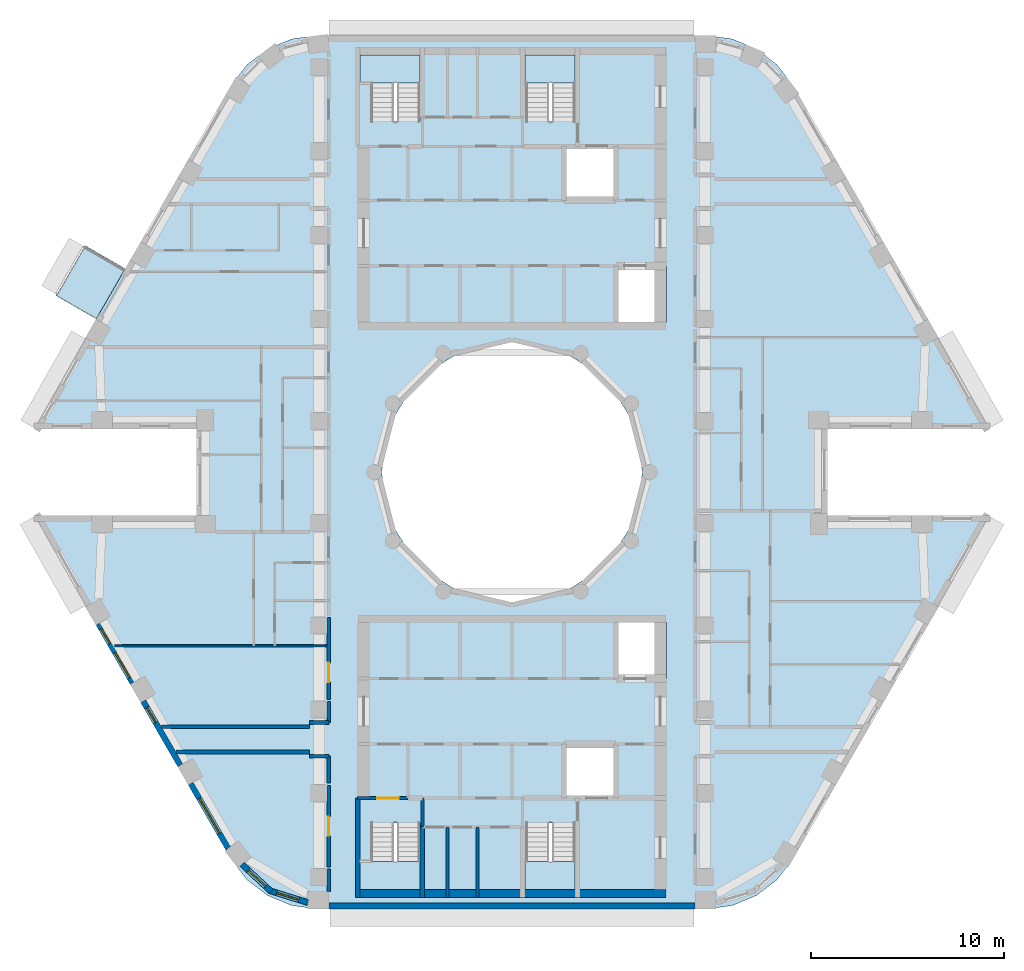
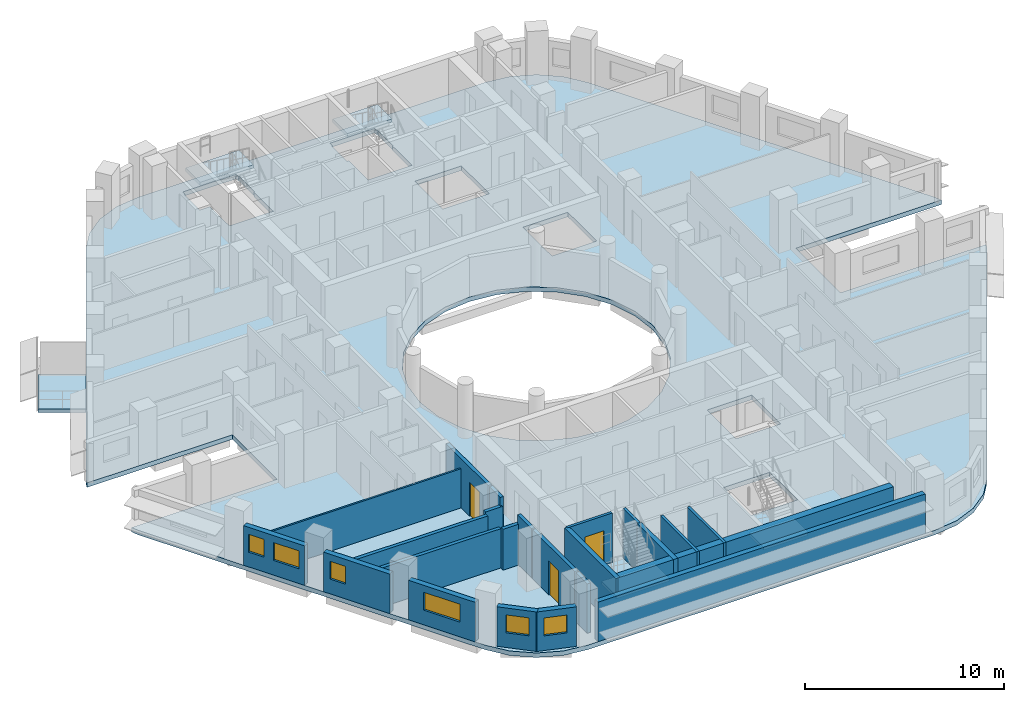
# One storey, part 2 of 13: 23 walls, 6 slabs, 6 windows, 3 doors, 9 openings, 4 elements without a shape of their own.
"""IFC4 building model written with IfcOpenShell, lengths in metres."""

from ifc_helpers import new_model, si_unit, direction, frame, frame_2d, origin, place, context, subcontext, project, spatial, polyline, rectangle, outline, extrude, material, layer, layer_set, type_object, element, fill, aggregate, save


model = new_model("IFC4")

# Units and contexts
model_context = context("Model", 3, precision=1e-05, world=origin(), true_north=direction((0.0, 1.0)))
body_context = subcontext(model_context, "Body", "Model", "MODEL_VIEW")
ifc_project = project(units=[si_unit("LENGTHUNIT", "METRE"), si_unit("AREAUNIT", "SQUARE_METRE"), si_unit("VOLUMEUNIT", "CUBIC_METRE"), si_unit("PLANEANGLEUNIT", "RADIAN"), si_unit("MASSUNIT", "GRAM", prefix="KILO")], contexts=[model_context])

# Site, building, storey
site_placement = place(None, origin())
site = spatial("IfcSite", under=ifc_project, at=site_placement, CompositionType="ELEMENT")
building_placement = place(site_placement, origin())
building = spatial("IfcBuilding", under=site, at=building_placement, Name="Nakaniwa Court", CompositionType="ELEMENT")
storey_placement = place(building_placement, frame((0.0, 0.0, 242.699951171875)))
storey = spatial("IfcBuildingStorey", under=building, at=storey_placement, Name="L63", CompositionType="ELEMENT", Elevation=242.699951171875)

# Slabs
ifc_material_1 = material(Name="Charcoal ceramic paver")
ifc_layer_1 = layer(ifc_material_1, 0.02, Name="Ceramic paver")
ifc_material_2 = material(Name="Cement sand screed")
ifc_layer_2 = layer(ifc_material_2, 0.03, Name="Falls screed")
ifc_material_3 = material(Name="Concrete C40/50", Category="concrete")
ifc_layer_3 = layer(ifc_material_3, 0.15, Name="Balcony slab")
ifc_layer_set_1 = layer_set([ifc_layer_1, ifc_layer_2, ifc_layer_3], Name="Concrete C40/50 balcony slab with ceramic paver finish")
slab_type_1 = type_object("IfcSlabType", Name="Balcony slab 200", PredefinedType="FLOOR", material=ifc_layer_set_1)
slab_1_placement = place(storey_placement, frame((0.0, 0.0, -0.25)))
element("IfcSlab", 1, at=slab_1_placement, inside=storey, type_object=slab_type_1, Name="L63 balcony 01", PredefinedType="FLOOR", context=body_context, shape_type="SweptSolid", body=[
    extrude(outline(polyline([(59.94287109375, 90.56005859375), (58.436279296875, 87.95068359375), (56.35791015625, 89.15087890625), (57.864501953125, 91.760009765625), (59.94287109375, 90.56005859375)])), origin(), (0.0, 0.0, 1.0), 0.199951171875),
])
ifc_material_4 = material(Name="Concrete C80/100", Category="concrete")
ifc_layer_4 = layer(ifc_material_4, 0.27490234375)
ifc_layer_set_2 = layer_set([ifc_layer_4], Name="Concrete C80/100")
slab_type_2 = type_object("IfcSlabType", Name="Concrete C80/100 post tensioned floor slab 275", PredefinedType="FLOOR", material=ifc_layer_set_2)
slab_2_placement = place(storey_placement, frame((0.0, 0.0, -0.27490234375)))
element("IfcSlab", 2, at=slab_2_placement, inside=storey, type_object=slab_type_2, Name="FLOOR SLAB", PredefinedType="FLOOR", context=body_context, shape_type="SweptSolid", body=[
    extrude(outline(polyline([(96.349609375, 82.25), (104.7978515625, 82.25), (104.65283203125, 82.60009765625), (94.578125, 100.050048828125), (93.751708984375, 101.126953125), (92.6748046875, 101.953369140625), (91.420654296875, 102.472900390625), (90.07470703125, 102.64990234375), (69.92529296875, 102.64990234375), (68.579345703125, 102.472900390625), (67.3251953125, 101.953369140625), (66.248291015625, 101.126953125), (65.421875, 100.050048828125), (55.34716796875, 82.60009765625), (55.2021484375, 82.25), (63.650390625, 82.25), (63.650390625, 77.75), (55.2021484375, 77.75), (55.34716796875, 77.39990234375), (65.421875, 59.949951171875), (66.248291015625, 58.873046875), (67.3251953125, 58.046630859375), (68.579345703125, 57.527099609375), (69.92529296875, 57.35009765625), (90.07470703125, 57.35009765625), (91.420654296875, 57.527099609375), (92.6748046875, 58.046630859375), (93.751708984375, 58.873046875), (94.578125, 59.949951171875), (104.65283203125, 77.39990234375), (104.7978515625, 77.75), (96.349609375, 77.75), (96.349609375, 82.25)]), holes=[polyline([(81.501953125, 86.580810546875), (80.0, 86.75), (78.498046875, 86.580810546875), (77.0712890625, 86.08154296875), (75.79150390625, 85.27734375), (74.72265625, 84.20849609375), (73.91845703125, 82.9287109375), (73.419189453125, 81.501953125), (73.25, 80.0), (73.419189453125, 78.498046875), (73.91845703125, 77.0712890625), (74.72265625, 75.79150390625), (75.79150390625, 74.72265625), (77.0712890625, 73.91845703125), (78.498046875, 73.419189453125), (80.0, 73.25), (81.501953125, 73.419189453125), (82.9287109375, 73.91845703125), (84.20849609375, 74.72265625), (85.27734375, 75.79150390625), (86.08154296875, 77.0712890625), (86.580810546875, 78.498046875), (86.75, 80.0), (86.580810546875, 81.501953125), (86.08154296875, 82.9287109375), (85.27734375, 84.20849609375), (84.20849609375, 85.27734375), (82.9287109375, 86.08154296875), (81.501953125, 86.580810546875)]), polyline([(72.675048828125, 61.81005859375), (72.675048828125, 59.864990234375), (72.0849609375, 59.864990234375), (72.0849609375, 58.31005859375), (72.125, 58.31005859375), (72.125, 58.074951171875), (75.22509765625, 58.074951171875), (75.22509765625, 58.31005859375), (75.264892578125, 58.31005859375), (75.264892578125, 59.864990234375), (75.22509765625, 59.864990234375), (75.22509765625, 61.81005859375), (72.675048828125, 61.81005859375)]), polyline([(83.27490234375, 61.81005859375), (80.72509765625, 61.81005859375), (80.72509765625, 59.864990234375), (80.635009765625, 59.864990234375), (80.635009765625, 58.31005859375), (80.675048828125, 58.31005859375), (80.675048828125, 58.074951171875), (83.27490234375, 58.074951171875), (83.27490234375, 58.31005859375), (83.31494140625, 58.31005859375), (83.31494140625, 59.864990234375), (83.27490234375, 59.864990234375), (83.27490234375, 61.81005859375)]), polyline([(75.264892578125, 101.68994140625), (75.22509765625, 101.68994140625), (75.22509765625, 101.925048828125), (72.125, 101.925048828125), (72.125, 101.68994140625), (72.0849609375, 101.68994140625), (72.0849609375, 100.135009765625), (72.675048828125, 100.135009765625), (72.675048828125, 98.18994140625), (75.22509765625, 98.18994140625), (75.22509765625, 100.135009765625), (75.264892578125, 100.135009765625), (75.264892578125, 101.68994140625)]), polyline([(83.31494140625, 100.135009765625), (83.31494140625, 101.68994140625), (83.27490234375, 101.68994140625), (83.27490234375, 101.925048828125), (80.675048828125, 101.925048828125), (80.675048828125, 101.68994140625), (80.635009765625, 101.68994140625), (80.635009765625, 100.135009765625), (80.72509765625, 100.135009765625), (80.72509765625, 98.18994140625), (83.27490234375, 98.18994140625), (83.27490234375, 100.135009765625), (83.31494140625, 100.135009765625)]), polyline([(85.39990234375, 65.89990234375), (82.699951171875, 65.89990234375), (82.699951171875, 63.10009765625), (85.39990234375, 63.10009765625), (85.39990234375, 65.89990234375)]), polyline([(88.0, 72.199951171875), (85.39990234375, 72.199951171875), (85.39990234375, 69.300048828125), (88.0, 69.300048828125), (88.0, 72.199951171875)]), polyline([(85.39990234375, 90.699951171875), (85.39990234375, 87.800048828125), (88.0, 87.800048828125), (88.0, 90.699951171875), (85.39990234375, 90.699951171875)]), polyline([(85.39990234375, 96.89990234375), (82.699951171875, 96.89990234375), (82.699951171875, 94.10009765625), (85.39990234375, 94.10009765625), (85.39990234375, 96.89990234375)])]), origin(), (0.0, 0.0, 1.0), 0.27490234375),
])

# Stair, slab
stair_type = type_object("IfcStairType", Name="Dog leg stair 1200 wide 18 risers", PredefinedType="HALF_TURN_STAIR", material=ifc_material_4)
stair_1_placement = place(storey_placement, origin())
stair_1 = element("IfcStair", 3, at=stair_1_placement, inside=storey, type_object=stair_type, Name="L63 Stair ST1", PredefinedType="HALF_TURN_STAIR")
ifc_layer_5 = layer(ifc_material_4, 0.199951171875)
ifc_layer_set_3 = layer_set([ifc_layer_5], Name="Concrete C80/100")
slab_type_3 = type_object("IfcSlabType", Name="Stair landing concrete", PredefinedType="LANDING", material=ifc_layer_set_3)
slab_3_placement = place(storey_placement, frame((0.0, 0.0, 1.449951171875)))
slab_3 = element("IfcSlab", 4, at=slab_3_placement, type_object=slab_type_3, Name="ST1 landing 1", PredefinedType="LANDING", context=body_context, shape_type="SweptSolid", body=[
    extrude(outline(polyline([(75.22509765625, 100.175048828125), (75.22509765625, 101.64990234375), (72.125, 101.64990234375), (72.125, 100.175048828125), (75.22509765625, 100.175048828125)])), origin(), (0.0, 0.0, 1.0), 0.2001953125),
])
aggregate(stair_1, [slab_3])

stair_2_placement = place(storey_placement, origin())
stair_2 = element("IfcStair", 5, at=stair_2_placement, inside=storey, type_object=stair_type, Name="L63 Stair ST2", PredefinedType="HALF_TURN_STAIR")
slab_4_placement = place(storey_placement, frame((0.0, 0.0, 1.449951171875)))
slab_4 = element("IfcSlab", 6, at=slab_4_placement, type_object=slab_type_3, Name="ST2 landing 1", PredefinedType="LANDING", context=body_context, shape_type="SweptSolid", body=[
    extrude(outline(polyline([(83.27490234375, 100.175048828125), (83.27490234375, 101.64990234375), (80.675048828125, 101.64990234375), (80.675048828125, 100.175048828125), (83.27490234375, 100.175048828125)])), origin(), (0.0, 0.0, 1.0), 0.2001953125),
])
aggregate(stair_2, [slab_4])

stair_3_placement = place(storey_placement, origin())
stair_3 = element("IfcStair", 7, at=stair_3_placement, inside=storey, type_object=stair_type, Name="L63 Stair ST3", PredefinedType="HALF_TURN_STAIR")
slab_5_placement = place(storey_placement, frame((0.0, 0.0, 1.449951171875)))
slab_5 = element("IfcSlab", 8, at=slab_5_placement, type_object=slab_type_3, Name="ST3 landing 1", PredefinedType="LANDING", context=body_context, shape_type="SweptSolid", body=[
    extrude(outline(polyline([(75.22509765625, 58.35009765625), (75.22509765625, 59.824951171875), (72.125, 59.824951171875), (72.125, 58.35009765625), (75.22509765625, 58.35009765625)])), origin(), (0.0, 0.0, 1.0), 0.2001953125),
])
aggregate(stair_3, [slab_5])

stair_4_placement = place(storey_placement, origin())
stair_4 = element("IfcStair", 9, at=stair_4_placement, inside=storey, type_object=stair_type, Name="L63 Stair ST4", PredefinedType="HALF_TURN_STAIR")
slab_6_placement = place(storey_placement, frame((0.0, 0.0, 1.449951171875)))
slab_6 = element("IfcSlab", 10, at=slab_6_placement, type_object=slab_type_3, Name="ST4 landing 1", PredefinedType="LANDING", context=body_context, shape_type="SweptSolid", body=[
    extrude(outline(polyline([(83.27490234375, 58.35009765625), (83.27490234375, 59.824951171875), (80.675048828125, 59.824951171875), (80.675048828125, 58.35009765625), (83.27490234375, 58.35009765625)])), origin(), (0.0, 0.0, 1.0), 0.2001953125),
])
aggregate(stair_4, [slab_6])

# Walls
ifc_material_5 = material(Name="Acoustic double stud partition")
ifc_layer_6 = layer(ifc_material_5, 0.199951171875)
ifc_layer_set_4 = layer_set([ifc_layer_6], Name="Acoustic double stud partition")
wall_type_1 = type_object("IfcWallType", Name="Acoustic double stud partition 200", PredefinedType="PARTITIONING", material=ifc_layer_set_4)
wall_1_placement = place(storey_placement, frame((62.56396484375, 65.5, 0.0), z_axis=(0.0, 0.0, 1.0), x_axis=(1.0, 0.0, 0.0)))
element("IfcWall", 11, at=wall_1_placement, inside=storey, type_object=wall_type_1, Name="Partition PW-081", PredefinedType="PARTITIONING", context=body_context, shape_type="SweptSolid", body=[
    extrude(rectangle(XDim=6.93603515625, YDim=0.199951171875, at=frame_2d((3.468017578125, 0.0))), origin(), (0.0, 0.0, 1.0), 2.405029296875),
])
for number, where, z_axis, x_axis, name in (
    (12, (69.5, 65.27490234375, 0.0), (0.0, 0.0, 1.0), (1.0, 0.0, 0.0), "Partition PW-083"),
    (13, (69.5, 67.02490234375, 0.0), (0.0, 0.0, 1.0), (1.0, 0.0, 0.0), "Partition PW-085"),
):
    element("IfcWall", number, at=place(storey_placement, frame(where, z_axis=z_axis, x_axis=x_axis)), inside=storey, type_object=wall_type_1, Name=name, PredefinedType="PARTITIONING", context=body_context, shape_type="SweptSolid", body=[
        extrude(rectangle(XDim=1.0, YDim=0.199951171875, at=frame_2d((0.5, 0.0))), origin(), (0.0, 0.0, 1.0), 2.505126953125),
    ])
wall_2_placement = place(storey_placement, frame((61.8134765625, 66.800048828125, 0.0), z_axis=(0.0, 0.0, 1.0), x_axis=(1.0, 0.0, 0.0)))
element("IfcWall", 14, at=wall_2_placement, inside=storey, type_object=wall_type_1, Name="Partition PW-087", PredefinedType="PARTITIONING", context=body_context, shape_type="SweptSolid", body=[
    extrude(rectangle(XDim=7.6865234375, YDim=0.199951171875, at=frame_2d((3.84326171875, 0.0))), origin(), (0.0, 0.0, 1.0), 2.405029296875),
])
wall_3_placement = place(storey_placement, frame((70.5, 58.26708984375, 0.0), z_axis=(0.0, 0.0, 1.0), x_axis=(0.0, 1.0, 0.0)))
element("IfcWall", 15, at=wall_3_placement, inside=storey, type_object=wall_type_1, Name="Partition PW-089", PredefinedType="PARTITIONING", context=body_context, shape_type="SweptSolid", body=[
    extrude(rectangle(XDim=1.14599609375, YDim=0.199951171875, at=frame_2d((0.572998046875, 0.0))), origin(), (0.0, 0.0, 1.0), 3.025146484375),
])

# Wall, opening, door
wall_4_placement = place(storey_placement, frame((70.5, 59.527099609375, 0.0), z_axis=(0.0, 0.0, 1.0), x_axis=(0.0, 1.0, 0.0)))
wall_4 = element("IfcWall", 16, at=wall_4_placement, inside=storey, type_object=wall_type_1, Name="Partition PW-090", PredefinedType="PARTITIONING", context=body_context, shape_type="SweptSolid", body=[
    extrude(rectangle(XDim=4.23583984375, YDim=0.199951171875, at=frame_2d((2.117919921875, 0.0))), origin(), (0.0, 0.0, 1.0), 3.025146484375),
])
opening_1_placement = place(wall_4_placement, frame((1.617919921875, 0.0, 0.0)))
opening_1 = element("IfcOpeningElement", 17, at=opening_1_placement, cuts=wall_4, Name="Opening D-02-04", PredefinedType="OPENING", context=body_context, shape_type="SweptSolid", body=[
    extrude(rectangle(XDim=1.0, YDim=2.10009765625, at=frame_2d((0.5, 1.050048828125))), frame((0.0, 0.10986328125, 0.0), z_axis=(0.0, -1.0, 0.0), x_axis=(1.0, 0.0, 0.0)), (0.0, 0.0, 1.0), 0.219970703125),
])
ifc_material_6 = material(Name="Solid core timber door set, black veneer", Category="wood")
door_type_1 = type_object("IfcDoorType", Name="Internal door 1000", OperationType="NOTDEFINED", PredefinedType="DOOR", material=ifc_material_6)
door_1_placement = place(opening_1_placement, origin())
door_1 = element("IfcDoor", 18, at=door_1_placement, inside=storey, type_object=door_type_1, Name="Door D-02-04 L63-060", OperationType="SINGLE_SWING_LEFT", OverallHeight=2.10009765625, OverallWidth=1.0, PredefinedType="DOOR", context=body_context, shape_type="SweptSolid", body=[
    extrude(rectangle(XDim=1.0, YDim=2.10009765625, at=frame_2d((0.5, 1.050048828125))), frame((0.0, 0.02490234375, 0.0), z_axis=(0.0, -1.0, 0.0), x_axis=(1.0, 0.0, 0.0)), (0.0, 0.0, 1.0), 0.050048828125),
])
fill(opening_1, door_1)

# Walls
wall_5_placement = place(storey_placement, frame((70.5, 63.876953125, 0.0), z_axis=(0.0, 0.0, 1.0), x_axis=(0.0, 1.0, 0.0)))
element("IfcWall", 19, at=wall_5_placement, inside=storey, type_object=wall_type_1, Name="Partition PW-091", PredefinedType="PARTITIONING", context=body_context, shape_type="SweptSolid", body=[
    extrude(rectangle(XDim=1.401123046875, YDim=0.199951171875, at=frame_2d((0.70068359375, 0.0))), origin(), (0.0, 0.0, 1.0), 3.025146484375),
])
wall_6_placement = place(storey_placement, frame((70.5, 67.02197265625, 0.0), z_axis=(0.0, 0.0, 1.0), x_axis=(0.0, 1.0, 0.0)))
element("IfcWall", 20, at=wall_6_placement, inside=storey, type_object=wall_type_1, Name="Partition PW-092", PredefinedType="PARTITIONING", context=body_context, shape_type="SweptSolid", body=[
    extrude(rectangle(XDim=1.091064453125, YDim=0.199951171875, at=frame_2d((0.54541015625, 0.0))), origin(), (0.0, 0.0, 1.0), 3.025146484375),
])

# Wall, opening, door
wall_7_placement = place(storey_placement, frame((70.5, 68.22705078125, 0.0), z_axis=(0.0, 0.0, 1.0), x_axis=(0.0, 1.0, 0.0)))
wall_7 = element("IfcWall", 21, at=wall_7_placement, inside=storey, type_object=wall_type_1, Name="Partition PW-093", PredefinedType="PARTITIONING", context=body_context, shape_type="SweptSolid", body=[
    extrude(rectangle(XDim=4.23583984375, YDim=0.199951171875, at=frame_2d((2.117919921875, 0.0))), origin(), (0.0, 0.0, 1.0), 3.025146484375),
])
opening_2_placement = place(wall_7_placement, frame((0.887939453125, 0.0, 0.0)))
opening_2 = element("IfcOpeningElement", 22, at=opening_2_placement, cuts=wall_7, Name="Opening D-02-05", PredefinedType="OPENING", context=body_context, shape_type="SweptSolid", body=[
    extrude(rectangle(XDim=1.0, YDim=2.10009765625, at=frame_2d((0.5, 1.050048828125))), frame((0.0, 0.10986328125, 0.0), z_axis=(0.0, -1.0, 0.0), x_axis=(1.0, 0.0, 0.0)), (0.0, 0.0, 1.0), 0.219970703125),
])
door_2_placement = place(opening_2_placement, origin())
door_2 = element("IfcDoor", 23, at=door_2_placement, inside=storey, type_object=door_type_1, Name="Door D-02-05 L63-061", OperationType="SINGLE_SWING_RIGHT", OverallHeight=2.10009765625, OverallWidth=1.0, PredefinedType="DOOR", context=body_context, shape_type="SweptSolid", body=[
    extrude(rectangle(XDim=1.0, YDim=2.10009765625, at=frame_2d((0.5, 1.050048828125))), frame((0.0, 0.02490234375, 0.0), z_axis=(0.0, -1.0, 0.0), x_axis=(1.0, 0.0, 0.0)), (0.0, 0.0, 1.0), 0.050048828125),
])
fill(opening_2, door_2)

# Wall, openings, windows
ifc_material_7 = material(Name="Charcoal ceramic cladding")
ifc_layer_7 = layer(ifc_material_7, 0.02, Name="Ceramic cladding")
ifc_material_8 = material(Name="Ventilated air cavity")
ifc_layer_8 = layer(ifc_material_8, 0.04, ventilated=True, Name="Ventilated cavity")
ifc_material_9 = material(Name="Mineral wool insulation")
ifc_layer_9 = layer(ifc_material_9, 0.1, Name="Insulation")
ifc_material_10 = material(Name="Cement bonded sheathing board")
ifc_layer_10 = layer(ifc_material_10, 0.012, Name="Sheathing")
ifc_material_11 = material(Name="Cold-formed galvanised stud frame with mineral wool infill")
ifc_layer_11 = layer(ifc_material_11, 0.1, Name="Stud frame")
ifc_material_12 = material(Name="Fire-rated gypsum plasterboard lining")
ifc_layer_12 = layer(ifc_material_12, 0.028, Name="Lining")
ifc_layer_set_5 = layer_set([ifc_layer_7, ifc_layer_8, ifc_layer_9, ifc_layer_10, ifc_layer_11, ifc_layer_12], Name="Charcoal ceramic faced external wall system")
wall_type_2 = type_object("IfcWallType", Name="Black ceramic faced external wall 300", PredefinedType="SOLIDWALL", material=ifc_layer_set_5)
wall_8_placement = place(storey_placement, frame((58.55419921875, 72.14501953125, 0.0), z_axis=(0.0, 0.0, 1.0), x_axis=(0.500010404316, -0.866019396766, 0.0)))
wall_8 = element("IfcWall", 24, at=wall_8_placement, inside=storey, type_object=wall_type_2, Name="L63 external wall 21", PredefinedType="SOLIDWALL", context=body_context, shape_type="SweptSolid", body=[
    extrude(rectangle(XDim=3.54736328125, YDim=0.300048828125, at=frame_2d((1.773681640625, 0.0))), origin(), (0.0, 0.0, 1.0), 2.425048828125),
])
opening_3_placement = place(wall_8_placement, frame((0.28515625, 0.0, 0.89990234375)))
opening_3 = element("IfcOpeningElement", 25, at=opening_3_placement, cuts=wall_8, Name="Opening W9.20", PredefinedType="OPENING", context=body_context, shape_type="SweptSolid", body=[
    extrude(rectangle(XDim=0.89990234375, YDim=1.10009765625, at=frame_2d((0.449951171875, 0.550048828125))), frame((0.0, 0.159912109375, 0.0), z_axis=(0.0, -1.0, 0.0), x_axis=(1.0, 0.0, 0.0)), (0.0, 0.0, 1.0), 0.320068359375),
])
opening_4_placement = place(wall_8_placement, frame((1.7216796875, 0.0, 0.89990234375)))
opening_4 = element("IfcOpeningElement", 26, at=opening_4_placement, cuts=wall_8, Name="Opening W5.21", PredefinedType="OPENING", context=body_context, shape_type="SweptSolid", body=[
    extrude(rectangle(XDim=1.5, YDim=1.10009765625, at=frame_2d((0.75, 0.550048828125))), frame((0.0, 0.159912109375, 0.0), z_axis=(0.0, -1.0, 0.0), x_axis=(1.0, 0.0, 0.0)), (0.0, 0.0, 1.0), 0.320068359375),
])
ifc_material_13 = material(Name="Black anodised aluminium frame with dark low-E laminated double glazing", Category="aluminium")
window_type_1 = type_object("IfcWindowType", Name="Dark glass window 1500x1100 sill 900", PartitioningType="SINGLE_PANEL", PredefinedType="WINDOW", material=ifc_material_13)
window_1_placement = place(opening_4_placement, origin())
window_1 = element("IfcWindow", 27, at=window_1_placement, inside=storey, type_object=window_type_1, Name="L63 habitable room window 21-1", OverallHeight=1.10009765625, OverallWidth=1.5, PartitioningType="SINGLE_PANEL", PredefinedType="WINDOW", context=body_context, shape_type="SweptSolid", body=[
    extrude(rectangle(XDim=1.5, YDim=1.10009765625, at=frame_2d((0.75, 0.550048828125))), frame((0.0, 0.030029296875, 0.0), z_axis=(0.0, -1.0, 0.0), x_axis=(1.0, 0.0, 0.0)), (0.0, 0.0, 1.0), 0.06005859375),
])
fill(opening_4, window_1)
window_type_2 = type_object("IfcWindowType", Name="Dark glass window 900x1100 sill 900", PartitioningType="SINGLE_PANEL", PredefinedType="WINDOW", material=ifc_material_13)
window_2_placement = place(opening_3_placement, origin())
window_2 = element("IfcWindow", 28, at=window_2_placement, inside=storey, type_object=window_type_2, Name="L63 living window 21-0", OverallHeight=1.10009765625, OverallWidth=0.89990234375, PartitioningType="SINGLE_PANEL", PredefinedType="WINDOW", context=body_context, shape_type="SweptSolid", body=[
    extrude(rectangle(XDim=0.89990234375, YDim=1.10009765625, at=frame_2d((0.449951171875, 0.550048828125))), frame((0.0, 0.030029296875, 0.0), z_axis=(0.0, -1.0, 0.0), x_axis=(1.0, 0.0, 0.0)), (0.0, 0.0, 1.0), 0.06005859375),
])
fill(opening_3, window_2)

# Wall, opening, window
wall_9_placement = place(storey_placement, frame((60.873779296875, 68.12744140625, 0.0), z_axis=(0.0, 0.0, 1.0), x_axis=(0.499984490703, -0.866034357896, 0.0)))
wall_9 = element("IfcWall", 29, at=wall_9_placement, inside=storey, type_object=wall_type_2, Name="L63 external wall 22", PredefinedType="SOLIDWALL", context=body_context, shape_type="SweptSolid", body=[
    extrude(rectangle(XDim=3.84423828125, YDim=0.300048828125, at=frame_2d((1.922119140625, 0.0))), origin(), (0.0, 0.0, 1.0), 2.425048828125),
])
opening_5_placement = place(wall_9_placement, frame((0.37744140625, 0.0, 0.89990234375)))
opening_5 = element("IfcOpeningElement", 30, at=opening_5_placement, cuts=wall_9, Name="Opening W9.22", PredefinedType="OPENING", context=body_context, shape_type="SweptSolid", body=[
    extrude(rectangle(XDim=0.89990234375, YDim=1.10009765625, at=frame_2d((0.449951171875, 0.550048828125))), frame((0.0, 0.159912109375, 0.0), z_axis=(0.0, -1.0, 0.0), x_axis=(1.0, 0.0, 0.0)), (0.0, 0.0, 1.0), 0.320068359375),
])
window_3_placement = place(opening_5_placement, origin())
window_3 = element("IfcWindow", 31, at=window_3_placement, inside=storey, type_object=window_type_2, Name="L63 habitable room window 22-0", OverallHeight=1.10009765625, OverallWidth=0.89990234375, PartitioningType="SINGLE_PANEL", PredefinedType="WINDOW", context=body_context, shape_type="SweptSolid", body=[
    extrude(rectangle(XDim=0.89990234375, YDim=1.10009765625, at=frame_2d((0.449951171875, 0.550048828125))), frame((0.0, 0.030029296875, 0.0), z_axis=(0.0, -1.0, 0.0), x_axis=(1.0, 0.0, 0.0)), (0.0, 0.0, 1.0), 0.06005859375),
])
fill(opening_5, window_3)

wall_10_placement = place(storey_placement, frame((63.342041015625, 63.8525390625, 0.0), z_axis=(0.0, 0.0, 1.0), x_axis=(0.500011218404, -0.866018926739, 0.0)))
wall_10 = element("IfcWall", 32, at=wall_10_placement, inside=storey, type_object=wall_type_2, Name="L63 external wall 23", PredefinedType="SOLIDWALL", context=body_context, shape_type="SweptSolid", body=[
    extrude(rectangle(XDim=3.87890625, YDim=0.300048828125, at=frame_2d((1.939453125, 0.0))), origin(), (0.0, 0.0, 1.0), 2.425048828125),
])
opening_6_placement = place(wall_10_placement, frame((0.878173828125, 0.0, 0.89990234375)))
opening_6 = element("IfcOpeningElement", 33, at=opening_6_placement, cuts=wall_10, Name="Opening W7.23", PredefinedType="OPENING", context=body_context, shape_type="SweptSolid", body=[
    extrude(rectangle(XDim=2.10009765625, YDim=1.10009765625, at=frame_2d((1.050048828125, 0.550048828125))), frame((0.0, 0.159912109375, 0.0), z_axis=(0.0, -1.0, 0.0), x_axis=(1.0, 0.0, 0.0)), (0.0, 0.0, 1.0), 0.320068359375),
])
window_type_3 = type_object("IfcWindowType", Name="Dark glass window 2100x1100 sill 900", PartitioningType="SINGLE_PANEL", PredefinedType="WINDOW", material=ifc_material_13)
window_4_placement = place(opening_6_placement, origin())
window_4 = element("IfcWindow", 34, at=window_4_placement, inside=storey, type_object=window_type_3, Name="L63 habitable room window 23-0", OverallHeight=1.10009765625, OverallWidth=2.10009765625, PartitioningType="SINGLE_PANEL", PredefinedType="WINDOW", context=body_context, shape_type="SweptSolid", body=[
    extrude(rectangle(XDim=2.10009765625, YDim=1.10009765625, at=frame_2d((1.050048828125, 0.550048828125))), frame((0.0, 0.030029296875, 0.0), z_axis=(0.0, -1.0, 0.0), x_axis=(1.0, 0.0, 0.0)), (0.0, 0.0, 1.0), 0.06005859375),
])
fill(opening_6, window_4)

wall_11_placement = place(storey_placement, frame((65.99609375, 59.665283203125, 0.0), z_axis=(0.0, 0.0, 1.0), x_axis=(0.731942518471, -0.6813663843, 0.0)))
wall_11 = element("IfcWall", 35, at=wall_11_placement, inside=storey, type_object=wall_type_2, Name="L63 external wall 24", PredefinedType="SOLIDWALL", context=body_context, shape_type="SweptSolid", body=[
    extrude(rectangle(XDim=2.07568359375, YDim=0.300048828125, at=frame_2d((1.037841796875, 0.0))), origin(), (0.0, 0.0, 1.0), 2.425048828125),
])
opening_7_placement = place(wall_11_placement, frame((0.464111328125, 0.0, 0.89990234375)))
opening_7 = element("IfcOpeningElement", 36, at=opening_7_placement, cuts=wall_11, Name="Opening W6.24", PredefinedType="OPENING", context=body_context, shape_type="SweptSolid", body=[
    extrude(rectangle(XDim=1.199951171875, YDim=1.10009765625, at=frame_2d((0.60009765625, 0.550048828125))), frame((0.0, 0.159912109375, 0.0), z_axis=(0.0, -1.0, 0.0), x_axis=(1.0, 0.0, 0.0)), (0.0, 0.0, 1.0), 0.320068359375),
])
window_type_4 = type_object("IfcWindowType", Name="Dark glass window 1200x1100 sill 900", PartitioningType="SINGLE_PANEL", PredefinedType="WINDOW", material=ifc_material_13)
window_5_placement = place(opening_7_placement, origin())
window_5 = element("IfcWindow", 37, at=window_5_placement, inside=storey, type_object=window_type_4, Name="L63 habitable room window 24-0", OverallHeight=1.10009765625, OverallWidth=1.199951171875, PartitioningType="SINGLE_PANEL", PredefinedType="WINDOW", context=body_context, shape_type="SweptSolid", body=[
    extrude(rectangle(XDim=1.199951171875, YDim=1.10009765625, at=frame_2d((0.60009765625, 0.550048828125))), frame((0.0, 0.030029296875, 0.0), z_axis=(0.0, -1.0, 0.0), x_axis=(1.0, 0.0, 0.0)), (0.0, 0.0, 1.0), 0.06005859375),
])
fill(opening_7, window_5)

wall_12_placement = place(storey_placement, frame((67.406494140625, 58.3076171875, 0.0), z_axis=(0.0, 0.0, 1.0), x_axis=(0.954761314907, -0.297373219301, 0.0)))
wall_12 = element("IfcWall", 38, at=wall_12_placement, inside=storey, type_object=wall_type_2, Name="L63 external wall 25", PredefinedType="SOLIDWALL", context=body_context, shape_type="SweptSolid", body=[
    extrude(rectangle(XDim=2.096923828125, YDim=0.300048828125, at=frame_2d((1.04833984375, 0.0))), origin(), (0.0, 0.0, 1.0), 2.425048828125),
])
opening_8_placement = place(wall_12_placement, frame((0.409423828125, 0.0, 0.89990234375)))
opening_8 = element("IfcOpeningElement", 39, at=opening_8_placement, cuts=wall_12, Name="Opening W6.25", PredefinedType="OPENING", context=body_context, shape_type="SweptSolid", body=[
    extrude(rectangle(XDim=1.199951171875, YDim=1.10009765625, at=frame_2d((0.60009765625, 0.550048828125))), frame((0.0, 0.159912109375, 0.0), z_axis=(0.0, -1.0, 0.0), x_axis=(1.0, 0.0, 0.0)), (0.0, 0.0, 1.0), 0.320068359375),
])
window_6_placement = place(opening_8_placement, origin())
window_6 = element("IfcWindow", 40, at=window_6_placement, inside=storey, type_object=window_type_4, Name="L63 habitable room window 25-0", OverallHeight=1.10009765625, OverallWidth=1.199951171875, PartitioningType="SINGLE_PANEL", PredefinedType="WINDOW", context=body_context, shape_type="SweptSolid", body=[
    extrude(rectangle(XDim=1.199951171875, YDim=1.10009765625, at=frame_2d((0.60009765625, 0.550048828125))), frame((0.0, 0.030029296875, 0.0), z_axis=(0.0, -1.0, 0.0), x_axis=(1.0, 0.0, 0.0)), (0.0, 0.0, 1.0), 0.06005859375),
])
fill(opening_8, window_6)

# Walls
wall_13_placement = place(storey_placement, frame((70.500732421875, 57.5, 0.0), z_axis=(0.0, 0.0, 1.0), x_axis=(1.0, 0.0, 0.0)))
element("IfcWall", 41, at=wall_13_placement, inside=storey, type_object=wall_type_2, Name="L63 external wall 26", PredefinedType="SOLIDWALL", context=body_context, shape_type="SweptSolid", body=[
    extrude(rectangle(XDim=18.99267578125, YDim=0.300048828125, at=frame_2d((9.496337890625, 0.0))), origin(), (0.0, 0.0, 1.0), 2.425048828125),
])
ifc_material_14 = material(Name="Blockwork partition", Category="masonry")
ifc_layer_13 = layer(ifc_material_14, 0.14990234375)
ifc_layer_set_6 = layer_set([ifc_layer_13], Name="Blockwork partition")
wall_type_3 = type_object("IfcWallType", Name="Blockwork partition 150", PredefinedType="PARTITIONING", material=ifc_layer_set_6)
for number, where, z_axis, x_axis, name in (
    (42, (76.64990234375, 57.949951171875, 0.0), (0.0, 0.0, 1.0), (0.0, 1.0, 0.0), "Partition PW-059"),
    (43, (78.2099609375, 57.949951171875, 0.0), (0.0, 0.0, 1.0), (0.0, 1.0, 0.0), "Partition PW-060"),
):
    element("IfcWall", number, at=place(storey_placement, frame(where, z_axis=z_axis, x_axis=x_axis)), inside=storey, type_object=wall_type_3, Name=name, PredefinedType="PARTITIONING", context=body_context, shape_type="SweptSolid", body=[
        extrude(rectangle(XDim=3.650146484375, YDim=0.14990234375, at=frame_2d((1.8251953125, 0.0))), origin(), (0.0, 0.0, 1.0), 3.025146484375),
    ])

# Wall, opening, door
ifc_layer_14 = layer(ifc_material_4, 0.14990234375)
ifc_layer_set_7 = layer_set([ifc_layer_14], Name="Concrete C80/100")
wall_type_4 = type_object("IfcWallType", Name="Concrete core wall 150 C80", PredefinedType="SHEAR", material=ifc_layer_set_7)
wall_14_placement = place(storey_placement, frame((72.0, 63.10009765625, -0.27490234375), z_axis=(0.0, 0.0, 1.0), x_axis=(1.0, 0.0, 0.0)))
wall_14 = element("IfcWall", 44, at=wall_14_placement, inside=storey, type_object=wall_type_4, Name="Core wall SW-47", PredefinedType="SHEAR", context=body_context, shape_type="SweptSolid", body=[
    extrude(rectangle(XDim=2.60009765625, YDim=0.14990234375, at=frame_2d((1.300048828125, 0.0))), origin(), (0.0, 0.0, 1.0), 3.300048828125),
])
opening_9_placement = place(wall_14_placement, frame((1.02001953125, 0.0, 0.27490234375)))
opening_9 = element("IfcOpeningElement", 45, at=opening_9_placement, cuts=wall_14, Name="Opening D-09-02", PredefinedType="OPENING", context=body_context, shape_type="SweptSolid", body=[
    extrude(rectangle(XDim=1.10009765625, YDim=2.10009765625, at=frame_2d((0.550048828125, 1.050048828125))), frame((0.0, 0.0849609375, 0.0), z_axis=(0.0, -1.0, 0.0), x_axis=(1.0, 0.0, 0.0)), (0.0, 0.0, 1.0), 0.169921875),
])
ifc_material_15 = material(Name="Fire rated steel door set", Category="steel")
door_type_2 = type_object("IfcDoorType", Name="Stair door 1100", OperationType="NOTDEFINED", PredefinedType="DOOR", material=ifc_material_15)
door_3_placement = place(opening_9_placement, origin())
door_3 = element("IfcDoor", 46, at=door_3_placement, inside=storey, type_object=door_type_2, Name="Door D-09-02 L63-031", OperationType="SINGLE_SWING_LEFT", OverallHeight=2.10009765625, OverallWidth=1.10009765625, PredefinedType="DOOR", context=body_context, shape_type="SweptSolid", body=[
    extrude(rectangle(XDim=1.10009765625, YDim=2.10009765625, at=frame_2d((0.550048828125, 1.050048828125))), frame((0.0, 0.02490234375, 0.0), z_axis=(0.0, -1.0, 0.0), x_axis=(1.0, 0.0, 0.0)), (0.0, 0.0, 1.0), 0.050048828125),
])
fill(opening_9, door_3)

# Walls
wall_15_placement = place(storey_placement, frame((75.35009765625, 61.596923828125, -0.27490234375), z_axis=(0.0, 0.0, 1.0), x_axis=(0.0, 1.0, 0.0)))
element("IfcWall", 47, at=wall_15_placement, inside=storey, type_object=wall_type_4, Name="Core wall SW-52", PredefinedType="SHEAR", context=body_context, shape_type="SweptSolid", body=[
    extrude(rectangle(XDim=1.503173828125, YDim=0.14990234375, at=frame_2d((0.75146484375, 0.0))), origin(), (0.0, 0.0, 1.0), 3.300048828125),
])
ifc_layer_15 = layer(ifc_material_4, 0.25)
ifc_layer_set_8 = layer_set([ifc_layer_15], Name="Concrete C80/100")
wall_type_5 = type_object("IfcWallType", Name="Concrete core wall 250 C80", PredefinedType="SHEAR", material=ifc_layer_set_8)
wall_16_placement = place(storey_placement, frame((72.0, 57.949951171875, -0.27490234375), z_axis=(0.0, 0.0, 1.0), x_axis=(0.0, 1.0, 0.0)))
element("IfcWall", 48, at=wall_16_placement, inside=storey, type_object=wall_type_5, Name="Core wall SW-54", PredefinedType="SHEAR", context=body_context, shape_type="SweptSolid", body=[
    extrude(rectangle(XDim=5.150146484375, YDim=0.25, at=frame_2d((2.5751953125, 0.0))), origin(), (0.0, 0.0, 1.0), 3.300048828125),
])
ifc_layer_16 = layer(ifc_material_4, 0.39990234375)
ifc_layer_set_9 = layer_set([ifc_layer_16], Name="Concrete C80/100")
wall_type_6 = type_object("IfcWallType", Name="Concrete core wall 400 C80", PredefinedType="SHEAR", material=ifc_layer_set_9)
wall_17_placement = place(storey_placement, frame((72.00390625, 58.14990234375, -0.27490234375), z_axis=(0.0, 0.0, 1.0), x_axis=(1.0, 0.0, 0.0)))
element("IfcWall", 49, at=wall_17_placement, inside=storey, type_object=wall_type_6, Name="Core wall SW-133", PredefinedType="SHEAR", context=body_context, shape_type="SweptSolid", body=[
    extrude(rectangle(XDim=15.9921875, YDim=0.39990234375, at=frame_2d((7.99609375, 0.0))), origin(), (0.0, 0.0, 1.0), 3.300048828125),
])
ifc_layer_17 = layer(ifc_material_4, 0.25)
ifc_layer_set_10 = layer_set([ifc_layer_17], Name="Concrete C80/100")
wall_type_7 = type_object("IfcWallType", Name="Concrete shaft wall 250 C80", PredefinedType="SHEAR", material=ifc_layer_set_10)
wall_18_placement = place(storey_placement, frame((75.35009765625, 57.949951171875, -0.27490234375), z_axis=(0.0, 0.0, 1.0), x_axis=(0.0, 1.0, 0.0)))
element("IfcWall", 50, at=wall_18_placement, inside=storey, type_object=wall_type_7, Name="Core wall SW-53", PredefinedType="SHEAR", context=body_context, shape_type="SweptSolid", body=[
    extrude(rectangle(XDim=3.653076171875, YDim=0.25, at=frame_2d((1.82666015625, 0.0))), origin(), (0.0, 0.0, 1.0), 3.300048828125),
])
ifc_material_16 = material(Name="Single stud plasterboard partition")
ifc_layer_18 = layer(ifc_material_16, 0.10009765625)
ifc_layer_set_11 = layer_set([ifc_layer_18], Name="Single stud plasterboard partition")
wall_type_8 = type_object("IfcWallType", Name="Single stud plasterboard partition 100", PredefinedType="PARTITIONING", material=ifc_layer_set_11)
wall_19_placement = place(storey_placement, frame((59.388671875, 71.0, 0.0), z_axis=(0.0, 0.0, 1.0), x_axis=(1.0, 0.0, 0.0)))
element("IfcWall", 51, at=wall_19_placement, inside=storey, type_object=wall_type_8, Name="Partition PW-115", PredefinedType="PARTITIONING", context=body_context, shape_type="SweptSolid", body=[
    extrude(rectangle(XDim=11.111328125, YDim=0.10009765625, at=frame_2d((5.5556640625, 0.0))), origin(), (0.0, 0.0, 1.0), 2.405029296875),
])

save(model, "model.ifc")
